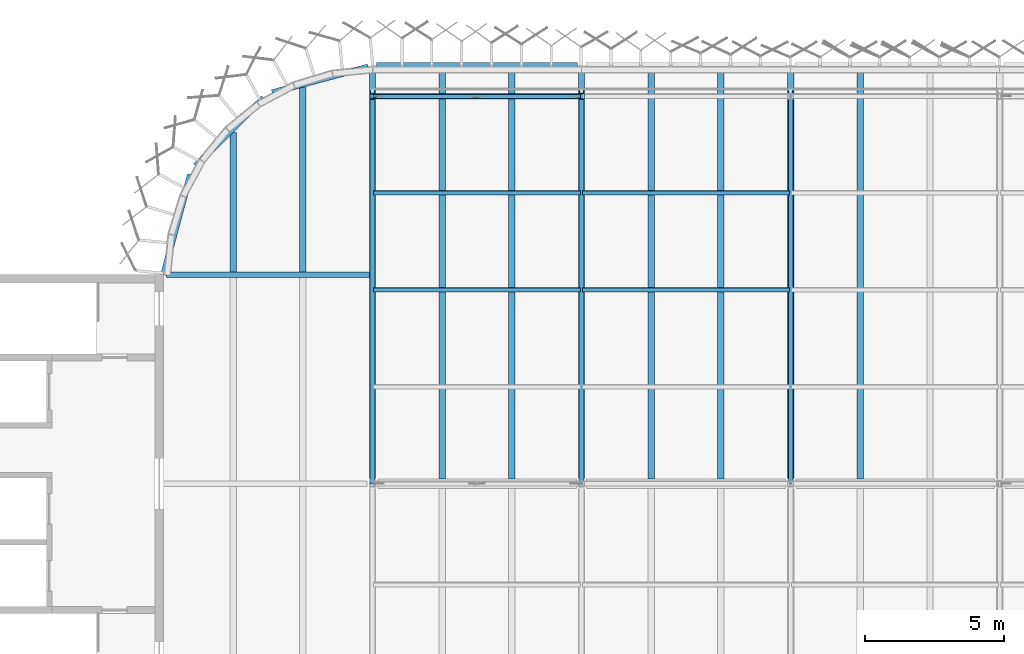
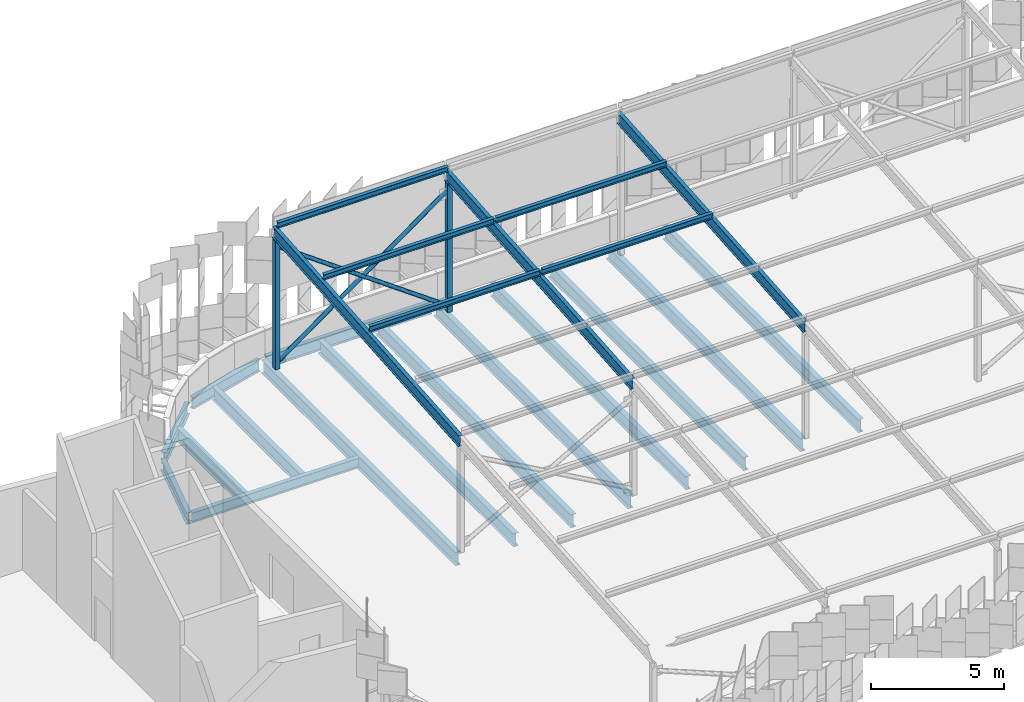
# One storey, part 94 of 483: 15 beams, 13 members.
"""IFC4 building model written with IfcOpenShell, lengths in metres."""

import ifcopenshell
import ifcopenshell.guid

model = None  # the IFC model being written
_history = None  # IfcOwnerHistory: only IFC2X3 demands one
_inside = {}  # id of a spatial element -> (the spatial element, [elements in it])
_under = {}  # id of a project, library or spatial element -> (it, [spatial elements below it])
_declared = {}  # id of a project -> (the project, [libraries it declares])
_typed = {}  # id of a type object -> (the type object, [elements of that type])
_made_of = {}  # id of a material, layer set ... -> (it, [elements and type objects made of it])


def new_model(schema):
    """Start an empty IFC model of exactly this schema.

    Asked for "IFC4X3", IfcOpenShell would pick the latest addendum, in which some entities
    have other attributes; the version numbers below select the first issue.
    IFC2X3 requires an IfcOwnerHistory on every rooted entity: one is made here for all.
    """
    global model, _history
    if schema == "IFC4X3":
        model = ifcopenshell.file(schema_version=(4, 3, 0, 0))
    else:
        model = ifcopenshell.file(schema=schema)
    _inside.clear()
    _under.clear()
    _declared.clear()
    _typed.clear()
    _made_of.clear()
    _history = None
    if model.schema == "IFC2X3":
        org = make("IfcOrganization", Name="unknown")
        user = make(
            "IfcPersonAndOrganization",
            ThePerson=make("IfcPerson", FamilyName="unknown"),
            TheOrganization=org,
        )
        app = make(
            "IfcApplication",
            ApplicationDeveloper=org,
            Version="unknown",
            ApplicationFullName="unknown",
            ApplicationIdentifier="unknown",
        )
        _history = make(
            "IfcOwnerHistory",
            OwningUser=user,
            OwningApplication=app,
            ChangeAction="ADDED",
            CreationDate=0,
        )
    return model


def make(cls, **values):
    """One entity of the class cls with the attributes given. An attribute that is None is left unset."""
    return model.create_entity(
        cls, **{name: value for name, value in values.items() if value is not None}
    )


def rooted(cls, **values):
    """An entity with a GlobalId (a new one), such as an element, a storey or a relation."""
    return make(cls, GlobalId=ifcopenshell.guid.new(), OwnerHistory=_history, **values)


def si_unit(unit_type, name, prefix=None):
    """IfcSIUnit, for example si_unit("LENGTHUNIT", "METRE", prefix="MILLI")."""
    return make("IfcSIUnit", UnitType=unit_type, Prefix=prefix, Name=name)


def assignment(units):
    """IfcUnitAssignment: the units of a project."""
    return None if units is None else make("IfcUnitAssignment", Units=units)


def point(xyz):
    """IfcCartesianPoint."""
    return None if xyz is None else make("IfcCartesianPoint", Coordinates=xyz)


def direction(xyz):
    """IfcDirection."""
    return None if xyz is None else make("IfcDirection", DirectionRatios=xyz)


def frame(location, z_axis=None, x_axis=None):
    """IfcAxis2Placement3D, a coordinate frame: its origin and axes. An axis left out is left unset."""
    return make(
        "IfcAxis2Placement3D",
        Location=point(location),
        Axis=direction(z_axis),
        RefDirection=direction(x_axis),
    )


def frame_2d(location, x_axis=None):
    """IfcAxis2Placement2D, a coordinate frame in the plane: its origin and x axis."""
    return make(
        "IfcAxis2Placement2D", Location=point(location), RefDirection=direction(x_axis)
    )


def origin():
    """The frame at (0, 0, 0) with its axes left unset."""
    return frame((0.0, 0.0, 0.0))


def origin_2d():
    """The frame at (0, 0) in the plane with its x axis left unset."""
    return frame_2d((0.0, 0.0))


def place(relative_to, where):
    """IfcLocalPlacement: puts the frame where relative to a parent placement (None: the world)."""
    return make(
        "IfcLocalPlacement", PlacementRelTo=relative_to, RelativePlacement=where
    )


def context(
    kind, dimensions, precision=None, world=None, true_north=None, identifier=None
):
    """IfcGeometricRepresentationContext, for example the 3D "Model" context."""
    return make(
        "IfcGeometricRepresentationContext",
        ContextIdentifier=identifier,
        ContextType=kind,
        CoordinateSpaceDimension=dimensions,
        Precision=precision,
        WorldCoordinateSystem=world,
        TrueNorth=true_north,
    )


def subcontext(parent, identifier, kind, view, scale=None):
    """IfcGeometricRepresentationSubContext, for example "Body" below "Model"."""
    return make(
        "IfcGeometricRepresentationSubContext",
        ContextIdentifier=identifier,
        ContextType=kind,
        ParentContext=parent,
        TargetScale=scale,
        TargetView=view,
    )


def project(units=None, contexts=None):
    """IfcProject with its units and contexts."""
    return rooted(
        "IfcProject",
        Name="project",
        RepresentationContexts=contexts,
        UnitsInContext=assignment(units),
    )


def spatial(cls, under=None, at=None, **own):
    """A site, building, storey or space (cls), placed at a placement, below another one or the project."""
    s = rooted(cls, ObjectPlacement=at, **own)
    if under is not None:
        _under.setdefault(under.id(), (under, []))[1].append(s)
    return s


def profile(cls, at=None, kind="AREA", **sizes):
    """A parametric profile (cls). Its sizes go by their IFC names, for example OverallWidth=200.0."""
    return make(cls, ProfileType=kind, Position=at, **sizes)


def hollow_rectangle(**sizes):
    """IfcRectangleHollowProfileDef."""
    return profile("IfcRectangleHollowProfileDef", **sizes)


def hollow_circle(**sizes):
    """IfcCircleHollowProfileDef."""
    return profile("IfcCircleHollowProfileDef", **sizes)


def i_section(**sizes):
    """IfcIShapeProfileDef."""
    return profile("IfcIShapeProfileDef", **sizes)


def extrude(swept, where, along, depth):
    """IfcExtrudedAreaSolid: the profile swept, set in the frame where, extruded along a direction by depth."""
    return make(
        "IfcExtrudedAreaSolid",
        SweptArea=swept,
        Position=where,
        ExtrudedDirection=direction(along),
        Depth=depth,
    )


def shape(context_of_items, identifier, shape_type, items):
    """IfcShapeRepresentation: the items that make up one representation, for example the "Body"."""
    return make(
        "IfcShapeRepresentation",
        ContextOfItems=context_of_items,
        RepresentationIdentifier=identifier,
        RepresentationType=shape_type,
        Items=items,
    )


def material(Name=None, Category=None):
    """IfcMaterial."""
    return make("IfcMaterial", Name=Name, Category=Category)


def material_profile(
    of_material, cross_section, Name=None, Category=None, Priority=None
):
    """IfcMaterialProfile: a cross section and its material."""
    return make(
        "IfcMaterialProfile",
        Name=Name,
        Material=of_material,
        Profile=cross_section,
        Priority=Priority,
        Category=Category,
    )


def profile_set(profiles, Name=None, composite=None):
    """IfcMaterialProfileSet."""
    return make(
        "IfcMaterialProfileSet",
        Name=Name,
        MaterialProfiles=profiles,
        CompositeProfile=composite,
    )


def made_of(thing, what):
    """Note that an element or type object is made of a material, layer set ...; save() writes the relation."""
    if what is not None:
        _made_of.setdefault(what.id(), (what, []))[1].append(thing)
    return thing


def type_object(cls, material=None, **own):
    """A type object (cls), such as IfcWallType, which elements share."""
    return made_of(rooted(cls, **own), material)


def element(
    cls,
    number,
    at=None,
    inside=None,
    cuts=None,
    type_object=None,
    material=None,
    context=None,
    identifier="Body",
    shape_type=None,
    held_by="IfcProductDefinitionShape",
    body=None,
    shapes=None,
    **own,
):
    """One element of the class cls, such as IfcWall. Its Tag is "e" and its number.

    at: its placement. inside: the storey or other place that contains it. cuts: it is an
    opening in that element (IfcRelVoidsElement). A single representation is given by context,
    identifier, shape_type and body (its items); several are given by shapes. held_by: the class
    of the entity that holds the representations. save() writes the other relations.
    """
    e = rooted(cls, Tag="e%d" % number, ObjectPlacement=at, **own)
    if body is not None:
        shapes = [shape(context, identifier, shape_type, body)]
    if shapes is not None:
        e.Representation = make(held_by, Representations=shapes)
    if inside is not None:
        _inside.setdefault(inside.id(), (inside, []))[1].append(e)
    if cuts is not None:
        rooted(
            "IfcRelVoidsElement", RelatingBuildingElement=cuts, RelatedOpeningElement=e
        )
    if type_object is not None:
        _typed.setdefault(type_object.id(), (type_object, []))[1].append(e)
    return made_of(e, material)


def aggregate(whole, parts):
    """IfcRelAggregates: a whole, such as a stair, and the parts it consists of."""
    return rooted("IfcRelAggregates", RelatingObject=whole, RelatedObjects=parts)


def save(model, path):
    """Write the relations noted so far, then the file.

    IfcRelAggregates (storeys below a building ...), IfcRelContainedInSpatialStructure (elements
    in a storey), IfcRelDefinesByType, IfcRelAssociatesMaterial and IfcRelDeclares: one each for
    every whole, place, type object, material and project.
    """
    for whole, parts in _under.values():
        aggregate(whole, parts)
    for where, things in _inside.values():
        rooted(
            "IfcRelContainedInSpatialStructure",
            RelatedElements=things,
            RelatingStructure=where,
        )
    for kind, things in _typed.values():
        rooted("IfcRelDefinesByType", RelatedObjects=things, RelatingType=kind)
    for what, things in _made_of.values():
        rooted("IfcRelAssociatesMaterial", RelatedObjects=things, RelatingMaterial=what)
    for by, libraries in _declared.values():
        rooted("IfcRelDeclares", RelatingContext=by, RelatedDefinitions=libraries)
    model.write(path)


model = new_model("IFC4")

# Units and contexts
model_context = context("Model", 3, precision=1e-05, world=origin(), true_north=direction((0.0, 1.0)))
body_context = subcontext(model_context, "Body", "Model", "MODEL_VIEW")
ifc_project = project(units=[si_unit("LENGTHUNIT", "METRE"), si_unit("AREAUNIT", "SQUARE_METRE"), si_unit("VOLUMEUNIT", "CUBIC_METRE"), si_unit("PLANEANGLEUNIT", "RADIAN"), si_unit("MASSUNIT", "GRAM", prefix="KILO")], contexts=[model_context])

# Site, building, storey
site_placement = place(None, origin())
site = spatial("IfcSite", under=ifc_project, at=site_placement, CompositionType="ELEMENT")
building_placement = place(site_placement, origin())
building = spatial("IfcBuilding", under=site, at=building_placement, Name="Parallax Yard Mobility Hub", CompositionType="ELEMENT")
storey_placement = place(building_placement, frame((0.0, 0.0, 13.199951171875)))
storey = spatial("IfcBuildingStorey", under=building, at=storey_placement, Name="L04", CompositionType="ELEMENT", Elevation=13.199951171875)

# Members
ifc_material_1 = material(Name="Steel ASTM A500 Gr C", Category="steel")
ifc_material_profile_1 = material_profile(ifc_material_1, hollow_circle(Radius=0.0888671875, WallThickness=0.0078125, at=origin_2d()), Name="HSS177.8x7.9")
ifc_profile_set_1 = profile_set([ifc_material_profile_1], Name="Steel ASTM A500 Gr C")
member_type_1 = type_object("IfcMemberType", Name="Canopy brace HSS177.8x7.9", PredefinedType="BRACE", material=ifc_profile_set_1)
member_placement = place(storey_placement, frame((37.413330078125, 141.39990234375, 0.300048828125), z_axis=(-0.812229364316, 0.0, 0.583338203569), x_axis=(0.0, -1.0, 0.0)))
element("IfcMember", 1, at=member_placement, inside=storey, type_object=member_type_1, Name="Canopy X brace RC bay N-A bay 1 diagonal B", PredefinedType="BRACE", context=body_context, shape_type="SweptSolid", body=[
    extrude(hollow_circle(Radius=0.0888671875, WallThickness=0.0078125, at=origin_2d()), origin(), (0.0, 0.0, 1.0), 9.0205078125),
])
for number, where, z_axis, x_axis, name in (
    (2, (30.086669921875, 141.39990234375, 0.300048828125), (0.812232602015, 0.0, 0.58333369543), (0.0, 1.0, 0.0), "Canopy X brace RC bay N-A bay 1 diagonal A part 1"),
    (3, (33.818115234375, 141.39990234375, 2.97998046875), (0.812232602015, 0.0, 0.58333369543), (0.0, 1.0, 0.0), "Canopy X brace RC bay N-A bay 1 diagonal A part 2"),
):
    element("IfcMember", number, at=place(storey_placement, frame(where, z_axis=z_axis, x_axis=x_axis)), inside=storey, type_object=member_type_1, Name=name, PredefinedType="BRACE", context=body_context, shape_type="SweptSolid", body=[
        extrude(hollow_circle(Radius=0.0888671875, WallThickness=0.0078125, at=origin_2d()), origin(), (0.0, 0.0, 1.0), 4.42626953125),
    ])
ifc_material_profile_2 = material_profile(ifc_material_1, hollow_rectangle(XDim=0.203125, YDim=0.203125, WallThickness=0.009521484375, at=origin_2d()), Name="HSS203x203x9.5")
ifc_profile_set_2 = profile_set([ifc_material_profile_2], Name="Steel ASTM A500 Gr C")
member_type_2 = type_object("IfcMemberType", Name="Canopy post HSS203x203x9.5", PredefinedType="POST", material=ifc_profile_set_2)
for number, where, z_axis, x_axis, name in (
    (4, (30.0, 141.39990234375, 0.0), (0.0, 0.0, 1.0), (1.0, 0.0, 0.0), "Canopy post RC/N-A1"),
    (5, (37.5, 141.39990234375, 0.0), (0.0, 0.0, 1.0), (1.0, 0.0, 0.0), "Canopy post RC/N-A2"),
):
    element("IfcMember", number, at=place(storey_placement, frame(where, z_axis=z_axis, x_axis=x_axis)), inside=storey, type_object=member_type_2, Name=name, PredefinedType="POST", context=body_context, shape_type="SweptSolid", body=[
        extrude(hollow_rectangle(XDim=0.203125, YDim=0.203125, WallThickness=0.009521484375, at=origin_2d()), origin(), (0.0, 0.0, 1.0), 5.922119140625),
    ])
ifc_material_2 = material(Name="Steel ASTM A992", Category="steel")
ifc_material_profile_3 = material_profile(ifc_material_2, i_section(OverallWidth=0.14794921875, OverallDepth=0.26611328125, WebThickness=0.007568359375, FlangeThickness=0.012939453125, at=origin_2d()), Name="W250x45")
ifc_profile_set_3 = profile_set([ifc_material_profile_3], Name="Steel ASTM A992")
member_type_3 = type_object("IfcMemberType", Name="Canopy purlin W250x45", PredefinedType="PURLIN", material=ifc_profile_set_3)
for number, where, z_axis, x_axis, name in (
    (6, (30.0400390625, 134.460693359375, 6.01806640625), (1.0, 0.0, 0.0), (0.0, 0.996815308126, 0.079744852409), "Canopy purlin sector N-A bay 1 line 7"),
    (7, (30.0400390625, 137.935546875, 6.296142578125), (1.0, 0.0, 0.0), (0.0, 0.996815308126, 0.079744852409), "Canopy purlin sector N-A bay 1 line 8"),
    (8, (30.0400390625, 141.41064453125, 6.573974609375), (1.0, 0.0, 0.0), (0.0, 0.996815308126, 0.079744852409), "Canopy purlin sector N-A bay 1 line 9"),
    (9, (37.5400390625, 134.460693359375, 6.01806640625), (1.0, 0.0, 0.0), (0.0, 0.996815308126, 0.079744852409), "Canopy purlin sector N-A bay 2 line 7"),
    (10, (37.5400390625, 137.935546875, 6.296142578125), (1.0, 0.0, 0.0), (0.0, 0.996815308126, 0.079744852409), "Canopy purlin sector N-A bay 2 line 8"),
):
    element("IfcMember", number, at=place(storey_placement, frame(where, z_axis=z_axis, x_axis=x_axis)), inside=storey, type_object=member_type_3, Name=name, PredefinedType="PURLIN", context=body_context, shape_type="SweptSolid", body=[
        extrude(i_section(OverallWidth=0.14794921875, OverallDepth=0.26611328125, WebThickness=0.007568359375, FlangeThickness=0.012939453125, at=origin_2d()), origin(), (0.0, 0.0, 1.0), 7.419921875),
    ])
ifc_material_profile_4 = material_profile(ifc_material_2, i_section(OverallWidth=0.166015625, OverallDepth=0.529052734375, WebThickness=0.009765625, FlangeThickness=0.013671875, at=origin_2d()), Name="W530x74")
ifc_profile_set_4 = profile_set([ifc_material_profile_4], Name="Steel ASTM A992")
member_type_4 = type_object("IfcMemberType", Name="Canopy rafter W530x74", PredefinedType="RAFTER", material=ifc_profile_set_4)
for number, where, z_axis, x_axis, name in (
    (11, (30.0, 127.52099609375, 5.067138671875), (0.0, 0.996815168385, 0.079746599163), (-1.0, 0.0, 0.0), "Canopy rafter N-A1 outer span"),
    (12, (37.5, 127.52099609375, 5.067138671875), (0.0, 0.996815168385, 0.079746599163), (-1.0, 0.0, 0.0), "Canopy rafter N-A2 outer span"),
    (13, (45.0, 127.52099609375, 5.067138671875), (0.0, 0.996815168385, 0.079746599163), (-1.0, 0.0, 0.0), "Canopy rafter N-A3 outer span"),
):
    element("IfcMember", number, at=place(storey_placement, frame(where, z_axis=z_axis, x_axis=x_axis)), inside=storey, type_object=member_type_4, Name=name, PredefinedType="RAFTER", context=body_context, shape_type="SweptSolid", body=[
        extrude(i_section(OverallWidth=0.166015625, OverallDepth=0.529052734375, WebThickness=0.009765625, FlangeThickness=0.013671875, at=origin_2d()), origin(), (0.0, 0.0, 1.0), 14.094970703125),
    ])

# Beams
ifc_material_profile_5 = material_profile(ifc_material_2, i_section(OverallWidth=0.19091796875, OverallDepth=0.45703125, WebThickness=0.009033203125, FlangeThickness=0.014404296875, FilletRadius=0.01025390625, at=origin_2d()), Name="W460x74")
ifc_profile_set_5 = profile_set([ifc_material_profile_5], Name="Steel ASTM A992")
beam_type_1 = type_object("IfcBeamType", Name="W460x74 longitudinal beam", PredefinedType="BEAM", material=ifc_profile_set_5)
beam_1_placement = place(storey_placement, frame((22.608154296875, 135.0, -0.368408203125), z_axis=(1.0, 0.0, 0.0), x_axis=(0.0, 1.0, 0.0)))
element("IfcBeam", 14, at=beam_1_placement, inside=storey, type_object=beam_type_1, Name="Longitudinal beam SB4 level L04, line U of ramped parking decks, span 1", PredefinedType="BEAM", context=body_context, shape_type="SweptSolid", body=[
    extrude(i_section(OverallWidth=0.19091796875, OverallDepth=0.45703125, WebThickness=0.009033203125, FlangeThickness=0.014404296875, FilletRadius=0.01025390625, at=origin_2d()), origin(), (0.0, 0.0, 1.0), 7.27734375),
])
ifc_material_profile_6 = material_profile(ifc_material_2, i_section(OverallWidth=0.208984375, OverallDepth=0.532958984375, WebThickness=0.01025390625, FlangeThickness=0.015625, FilletRadius=0.0126953125, at=origin_2d()), Name="W530x92")
ifc_profile_set_6 = profile_set([ifc_material_profile_6], Name="Steel ASTM A992")
beam_type_2 = type_object("IfcBeamType", Name="W530x92 edge beam", PredefinedType="SPANDREL", material=ifc_profile_set_6)
beam_2_placement = place(storey_placement, frame((30.153564453125, 142.5, -0.406494140625), z_axis=(1.0, 0.0, 0.0), x_axis=(0.0, 1.0, 0.0)))
element("IfcBeam", 15, at=beam_2_placement, inside=storey, type_object=beam_type_2, Name="Edge beam SB5 level L04, line V of ramped parking decks, span 1", PredefinedType="SPANDREL", context=body_context, shape_type="SweptSolid", body=[
    extrude(i_section(OverallWidth=0.208984375, OverallDepth=0.532958984375, WebThickness=0.01025390625, FlangeThickness=0.015625, FilletRadius=0.0126953125, at=origin_2d()), origin(), (0.0, 0.0, 1.0), 7.19384765625),
])
beam_3_placement = place(storey_placement, frame((23.463623046875, 138.596435546875, -0.406494140625), z_axis=(-0.2588092838, -0.965928441769, 0.0), x_axis=(0.965928441769, -0.2588092838, 0.0)))
element("IfcBeam", 16, at=beam_3_placement, inside=storey, type_object=beam_type_2, Name="Edge beam SB5 level L04, the west end of ramped parking decks, span 2", PredefinedType="SPANDREL", context=body_context, shape_type="SweptSolid", body=[
    extrude(i_section(OverallWidth=0.208984375, OverallDepth=0.532958984375, WebThickness=0.01025390625, FlangeThickness=0.015625, FilletRadius=0.0126953125, at=origin_2d()), origin(), (0.0, 0.0, 1.0), 3.723388671875),
])
beam_4_placement = place(storey_placement, frame((26.097412109375, 141.3427734375, -0.406494140625), z_axis=(-0.707106781187, -0.707106781187, 0.0), x_axis=(0.707106781187, -0.707106781187, 0.0)))
element("IfcBeam", 17, at=beam_4_placement, inside=storey, type_object=beam_type_2, Name="Edge beam SB5 level L04, the west end of ramped parking decks, span 4", PredefinedType="SPANDREL", context=body_context, shape_type="SweptSolid", body=[
    extrude(i_section(OverallWidth=0.208984375, OverallDepth=0.532958984375, WebThickness=0.01025390625, FlangeThickness=0.015625, FilletRadius=0.0126953125, at=origin_2d()), origin(), (0.0, 0.0, 1.0), 3.450927734375),
])
beam_5_placement = place(storey_placement, frame((29.846435546875, 142.458984375, -0.406494140625), z_axis=(-0.965920541607, -0.258838766998, 0.0), x_axis=(0.258838766998, -0.965920541607, 0.0)))
element("IfcBeam", 18, at=beam_5_placement, inside=storey, type_object=beam_type_2, Name="Edge beam SB5 level L04, the west end of ramped parking decks, span 6", PredefinedType="SPANDREL", context=body_context, shape_type="SweptSolid", body=[
    extrude(i_section(OverallWidth=0.208984375, OverallDepth=0.532958984375, WebThickness=0.01025390625, FlangeThickness=0.015625, FilletRadius=0.0126953125, at=origin_2d()), origin(), (0.0, 0.0, 1.0), 3.5654296875),
])
ifc_material_profile_7 = material_profile(ifc_material_2, i_section(OverallWidth=0.22802734375, OverallDepth=0.60205078125, WebThickness=0.010498046875, FlangeThickness=0.014892578125, FilletRadius=0.0126953125, at=origin_2d()), Name="W610x101")
ifc_profile_set_7 = profile_set([ifc_material_profile_7], Name="Steel ASTM A992")
beam_type_3 = type_object("IfcBeamType", Name="W610x101 secondary beam", PredefinedType="JOIST", material=ifc_profile_set_7)
beam_6_placement = place(storey_placement, frame((25.0, 135.095458984375, -0.44091796875), z_axis=(0.0, 1.0, 0.0), x_axis=(-1.0, 0.0, 0.0)))
element("IfcBeam", 19, at=beam_6_placement, inside=storey, type_object=beam_type_3, Name="Secondary beam B3 level L04, 2.5 m east of line 4 of ramped parking decks, span 4", PredefinedType="JOIST", context=body_context, shape_type="SweptSolid", body=[
    extrude(i_section(OverallWidth=0.22802734375, OverallDepth=0.60205078125, WebThickness=0.010498046875, FlangeThickness=0.014892578125, FilletRadius=0.0126953125, at=origin_2d()), origin(), (0.0, 0.0, 1.0), 5.001953125),
])
for number, where, z_axis, x_axis, name in (
    (20, (32.5, 127.66259765625, -0.44091796875), (0.0, 1.0, 0.0), (-1.0, 0.0, 0.0), "Secondary beam B3 level L04, 2.5 m east of line 5 of ramped parking decks, span 2"),
    (21, (40.0, 127.66259765625, -0.44091796875), (0.0, 1.0, 0.0), (-1.0, 0.0, 0.0), "Secondary beam B3 level L04, 2.5 m east of line 6 of ramped parking decks, span 2"),
    (22, (47.5, 127.66259765625, -0.44091796875), (0.0, 1.0, 0.0), (-1.0, 0.0, 0.0), "Secondary beam B3 level L04, 2.5 m east of line 7 of ramped parking decks, span 2"),
):
    element("IfcBeam", number, at=place(storey_placement, frame(where, z_axis=z_axis, x_axis=x_axis)), inside=storey, type_object=beam_type_3, Name=name, PredefinedType="JOIST", context=body_context, shape_type="SweptSolid", body=[
        extrude(i_section(OverallWidth=0.22802734375, OverallDepth=0.60205078125, WebThickness=0.010498046875, FlangeThickness=0.014892578125, FilletRadius=0.0126953125, at=origin_2d()), origin(), (0.0, 0.0, 1.0), 14.73291015625),
    ])
beam_7_placement = place(storey_placement, frame((27.5, 135.095458984375, -0.44091796875), z_axis=(0.0, 1.0, 0.0), x_axis=(-1.0, 0.0, 0.0)))
element("IfcBeam", 23, at=beam_7_placement, inside=storey, type_object=beam_type_3, Name="Secondary beam B3 level L04, 5 m east of line 4 of ramped parking decks, span 4", PredefinedType="JOIST", context=body_context, shape_type="SweptSolid", body=[
    extrude(i_section(OverallWidth=0.22802734375, OverallDepth=0.60205078125, WebThickness=0.010498046875, FlangeThickness=0.014892578125, FilletRadius=0.0126953125, at=origin_2d()), origin(), (0.0, 0.0, 1.0), 6.62646484375),
])
for number, where, z_axis, x_axis, name in (
    (24, (35.0, 127.66259765625, -0.44091796875), (0.0, 1.0, 0.0), (-1.0, 0.0, 0.0), "Secondary beam B3 level L04, 5 m east of line 5 of ramped parking decks, span 2"),
    (25, (42.5, 127.66259765625, -0.44091796875), (0.0, 1.0, 0.0), (-1.0, 0.0, 0.0), "Secondary beam B3 level L04, 5 m east of line 6 of ramped parking decks, span 2"),
):
    element("IfcBeam", number, at=place(storey_placement, frame(where, z_axis=z_axis, x_axis=x_axis)), inside=storey, type_object=beam_type_3, Name=name, PredefinedType="JOIST", context=body_context, shape_type="SweptSolid", body=[
        extrude(i_section(OverallWidth=0.22802734375, OverallDepth=0.60205078125, WebThickness=0.010498046875, FlangeThickness=0.014892578125, FilletRadius=0.0126953125, at=origin_2d()), origin(), (0.0, 0.0, 1.0), 14.73291015625),
    ])
ifc_material_profile_8 = material_profile(ifc_material_2, i_section(OverallWidth=0.22900390625, OverallDepth=0.612060546875, WebThickness=0.011962890625, FlangeThickness=0.01953125, FilletRadius=0.0126953125, at=origin_2d()), Name="W610x125")
ifc_profile_set_8 = profile_set([ifc_material_profile_8], Name="Steel ASTM A992")
beam_type_4 = type_object("IfcBeamType", Name="W610x125 girder", PredefinedType="BEAM", material=ifc_profile_set_8)
beam_8_placement = place(storey_placement, frame((30.0, 127.6904296875, -0.446044921875), z_axis=(0.0, 1.0, 0.0), x_axis=(-1.0, 0.0, 0.0)))
element("IfcBeam", 26, at=beam_8_placement, inside=storey, type_object=beam_type_4, Name="Girder G3 level L04, line 5 of ramped parking decks, span 2", PredefinedType="BEAM", context=body_context, shape_type="SweptSolid", body=[
    extrude(i_section(OverallWidth=0.22900390625, OverallDepth=0.612060546875, WebThickness=0.011962890625, FlangeThickness=0.01953125, FilletRadius=0.0126953125, at=origin_2d()), origin(), (0.0, 0.0, 1.0), 14.650634765625),
])
for number, where, z_axis, x_axis, name in (
    (27, (37.5, 127.68408203125, -0.446044921875), (0.0, 1.0, 0.0), (-1.0, 0.0, 0.0), "Girder G3 level L04, line 6 of ramped parking decks, span 2"),
    (28, (45.0, 127.68408203125, -0.446044921875), (0.0, 1.0, 0.0), (-1.0, 0.0, 0.0), "Girder G3 level L04, line 7 of ramped parking decks, span 2"),
):
    element("IfcBeam", number, at=place(storey_placement, frame(where, z_axis=z_axis, x_axis=x_axis)), inside=storey, type_object=beam_type_4, Name=name, PredefinedType="BEAM", context=body_context, shape_type="SweptSolid", body=[
        extrude(i_section(OverallWidth=0.22900390625, OverallDepth=0.612060546875, WebThickness=0.011962890625, FlangeThickness=0.01953125, FilletRadius=0.0126953125, at=origin_2d()), origin(), (0.0, 0.0, 1.0), 14.662353515625),
    ])

save(model, "model.ifc")
